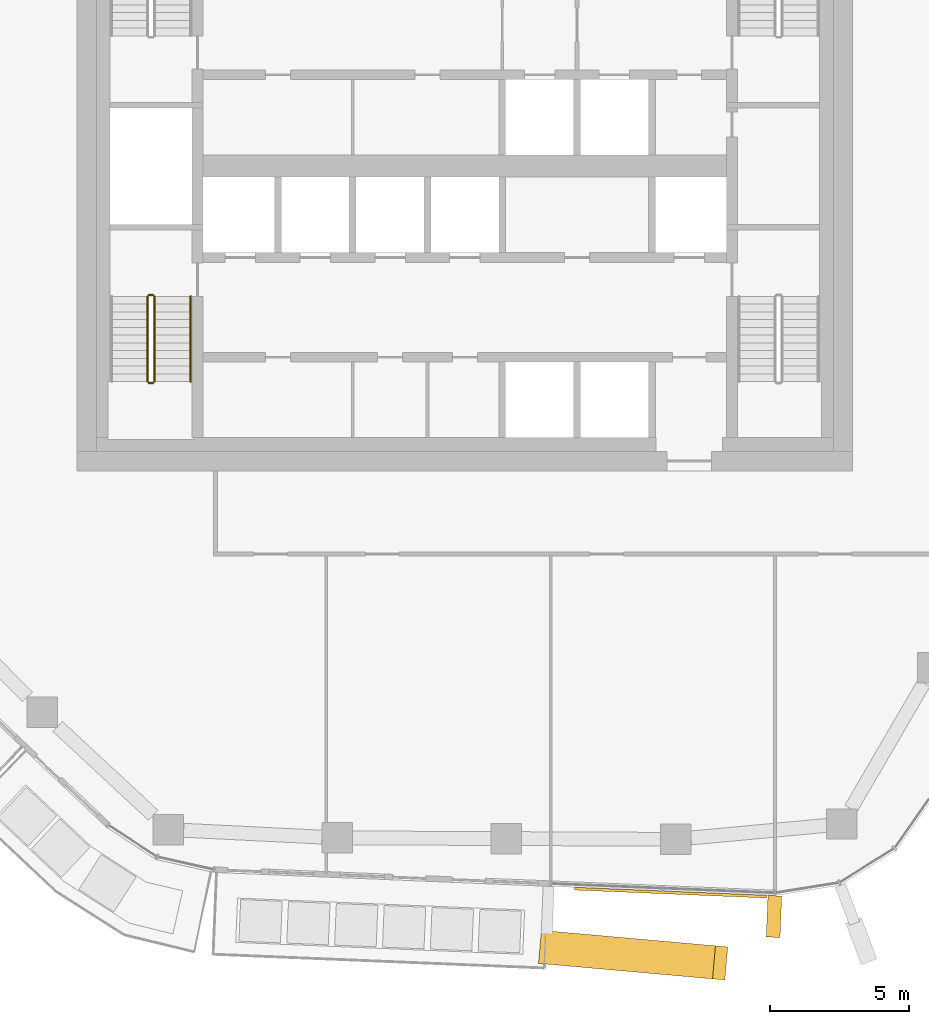
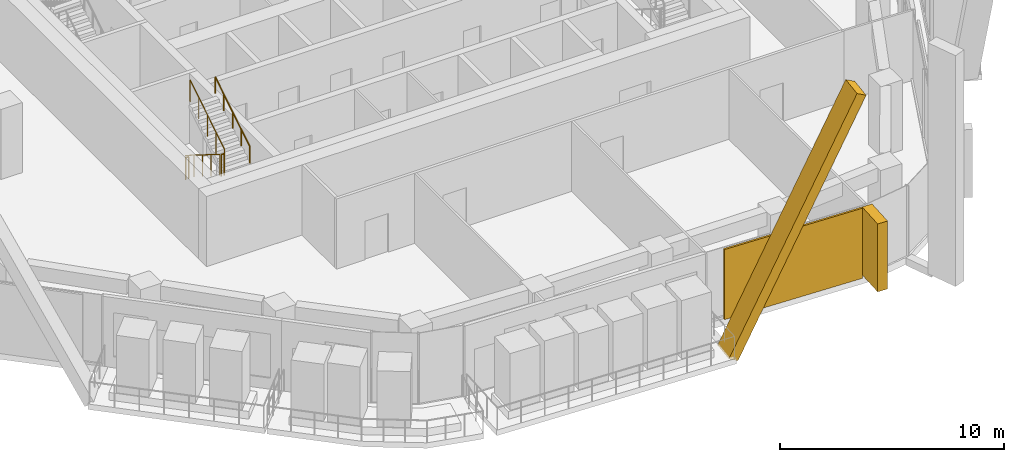
# One storey, part 16 of 20: 5 railings, 3 coverings, 1 element without a shape of its own.
"""IFC4 building model written with IfcOpenShell, lengths in metres."""

from ifc_helpers import new_model, si_unit, direction, frame, origin, origin_2d, place, context, subcontext, project, spatial, rectangle, circle, extrude, material, layer, layer_set, material_profile, profile_set, type_object, element, aggregate, save


model = new_model("IFC4")

# Units and contexts
model_context = context("Model", 3, precision=1e-05, world=origin(), true_north=direction((0.0, 1.0)))
body_context = subcontext(model_context, "Body", "Model", "MODEL_VIEW")
ifc_project = project(units=[si_unit("LENGTHUNIT", "METRE"), si_unit("AREAUNIT", "SQUARE_METRE"), si_unit("VOLUMEUNIT", "CUBIC_METRE"), si_unit("PLANEANGLEUNIT", "RADIAN"), si_unit("MASSUNIT", "GRAM", prefix="KILO")], contexts=[model_context])

# Site, building, storey
site_placement = place(None, origin())
site = spatial("IfcSite", under=ifc_project, at=site_placement, CompositionType="ELEMENT")
building_placement = place(site_placement, origin())
building = spatial("IfcBuilding", under=site, at=building_placement, Name="Dongbaek Canopy Tower", CompositionType="ELEMENT")
storey_placement = place(building_placement, frame((0.0, 0.0, 241.199951171875)))
storey = spatial("IfcBuildingStorey", under=building, at=storey_placement, Name="L50", CompositionType="ELEMENT", Elevation=241.199951171875)

# Curtain wall, coverings
ifc_material_1 = material(Name="Aluminium 6063-T6 pale anodised", Category="aluminium")
ifc_layer_1 = layer(ifc_material_1, 0.199951171875)
ifc_layer_set_1 = layer_set([ifc_layer_1], Name="CW-1 unitised tower curtain wall")
curtain_wall_type = type_object("IfcCurtainWallType", Name="CW-1 unitised tower curtain wall", PredefinedType="NOTDEFINED", material=ifc_layer_set_1)
curtain_wall_placement = place(storey_placement, origin())
curtain_wall = element("IfcCurtainWall", 1, at=curtain_wall_placement, inside=storey, type_object=curtain_wall_type, Name="CW-1 curtain wall F4.1", PredefinedType="NOTDEFINED")
ifc_material_2 = material(Name="Aluminium 6063-T6 pale metal fin", Category="aluminium")
ifc_material_profile_1 = material_profile(ifc_material_2, rectangle(XDim=1.199951171875, YDim=0.5, at=origin_2d()), Name="Crease fin CF1 500 x 1200 pale metal")
ifc_profile_set_1 = profile_set([ifc_material_profile_1], Name="Aluminium 6063-T6 pale metal fin")
covering_type_1 = type_object("IfcCoveringType", Name="Crease fin CF1 500 x 1200 pale metal", PredefinedType="CLADDING", material=ifc_profile_set_1)
covering_1_placement = place(storey_placement, frame((2.934814453125, -28.20166015625, -0.18994140625), z_axis=(0.445781374612, -0.039593051696, 0.894265819713), x_axis=(0.088468938044, 0.99607893613, 0.0)))
covering_1 = element("IfcCovering", 2, at=covering_1_placement, type_object=covering_type_1, Name="Crease fin L50 L53 F4", PredefinedType="CLADDING", context=body_context, shape_type="SweptSolid", body=[
    extrude(rectangle(XDim=1.199951171875, YDim=0.5, at=origin_2d()), origin(), (0.0, 0.0, 1.0), 14.08984375),
])
ifc_material_3 = material(Name="Perforated aluminium 6063-T6 pale metal screen", Category="aluminium")
ifc_layer_2 = layer(ifc_material_3, 0.10009765625)
ifc_layer_set_2 = layer_set([ifc_layer_2], Name="Facet screen FS1 100 pale metal")
covering_type_2 = type_object("IfcCoveringType", Name="Facet screen FS1 100 pale metal", PredefinedType="CLADDING", material=ifc_layer_set_2)
covering_2_placement = place(storey_placement, frame((7.42919921875, -26.22509765625, 0.0), z_axis=(0.0, 0.0, 1.0), x_axis=(0.999139269991, -0.041481552066, 0.0)))
covering_2 = element("IfcCovering", 3, at=covering_2_placement, type_object=covering_type_2, Name="Facet screen L50 F4", PredefinedType="CLADDING", context=body_context, shape_type="SweptSolid", body=[
    extrude(rectangle(XDim=6.944091796875, YDim=0.10009765625, at=origin_2d()), origin(), (0.0, 0.0, 1.0), 3.820068359375),
])
ifc_material_4 = material(Name="Aluminium 6063-T6 pale metal fin", Category="aluminium")
ifc_material_profile_2 = material_profile(ifc_material_4, rectangle(XDim=1.5, YDim=0.5, at=origin_2d()), Name="Fin FN1 500 x 1500 pale metal")
ifc_profile_set_2 = profile_set([ifc_material_profile_2], Name="Aluminium 6063-T6 pale metal fin")
covering_type_3 = type_object("IfcCoveringType", Name="Fin FN1 500 x 1500 pale metal", PredefinedType="CLADDING", material=ifc_profile_set_2)
covering_3_placement = place(storey_placement, frame((11.158935546875, -27.08447265625, 0.1201171875), z_axis=(0.0, 0.0, 1.0), x_axis=(-0.041481315027, -0.999139279832, 0.0)))
covering_3 = element("IfcCovering", 4, at=covering_3_placement, type_object=covering_type_3, Name="Fin F4.1.3", PredefinedType="CLADDING", context=body_context, shape_type="SweptSolid", body=[
    extrude(rectangle(XDim=1.5, YDim=0.5, at=origin_2d()), origin(), (0.0, 0.0, 1.0), 3.699951171875),
])
aggregate(curtain_wall, [covering_3, covering_1, covering_2])

# Railings
ifc_material_5 = material(Name="Stainless steel tube and balusters", Category="steel")
railing_type_1 = type_object("IfcRailingType", Name="Stair guard 1200", PredefinedType="GUARDRAIL", material=ifc_material_5)
railing_1_placement = place(storey_placement, frame((-11.449951171875, -4.699951171875, 0.175048828125)))
element("IfcRailing", 5, at=railing_1_placement, inside=storey, type_object=railing_type_1, Name="L50 ST-D stair guard 1", PredefinedType="GUARDRAIL", context=body_context, shape_type="SweptSolid", body=[
    extrude(circle(Radius=0.02392578125, at=origin_2d()), frame((0.0, 0.0, 1.17578125), z_axis=(0.0, -0.847998304005, 0.529998940003), x_axis=(1.0, 0.0, 0.0)), (0.0, 0.0, 1.0), 3.632080078125),
    extrude(circle(Radius=0.02099609375, at=origin_2d()), origin(), (0.0, 0.0, 1.0), 1.15185546875),
    extrude(circle(Radius=0.02099609375, at=origin_2d()), frame((0.0, -0.77001953125, 0.481201171875)), (0.0, 0.0, 1.0), 1.15185546875),
    extrude(circle(Radius=0.02099609375, at=origin_2d()), frame((0.0, -1.5400390625, 0.96240234375)), (0.0, 0.0, 1.0), 1.15185546875),
    extrude(circle(Radius=0.02099609375, at=origin_2d()), frame((0.0, -2.31005859375, 1.44384765625)), (0.0, 0.0, 1.0), 1.15185546875),
    extrude(circle(Radius=0.02099609375, at=origin_2d()), frame((0.0, -3.080078125, 1.925048828125)), (0.0, 0.0, 1.0), 1.15185546875),
])
railing_2_placement = place(storey_placement, frame((-11.39990234375, -7.830078125, 2.10009765625)))
element("IfcRailing", 6, at=railing_2_placement, inside=storey, type_object=railing_type_1, Name="L50 ST-D stair guard 2", PredefinedType="GUARDRAIL", context=body_context, shape_type="SweptSolid", body=[
    extrude(circle(Radius=0.02392578125, at=origin_2d()), frame((0.0, 0.0, 1.17578125), z_axis=(1.0, 0.0, 0.0), x_axis=(0.0, 1.0, 0.0)), (0.0, 0.0, 1.0), 0.14990234375),
    extrude(circle(Radius=0.02099609375, at=origin_2d()), origin(), (0.0, 0.0, 1.0), 1.15185546875),
    extrude(circle(Radius=0.02099609375, at=origin_2d()), frame((0.14990234375, 0.0, 0.0)), (0.0, 0.0, 1.0), 1.15185546875),
])
railing_3_placement = place(storey_placement, frame((-11.199951171875, -7.780029296875, 2.275146484375)))
element("IfcRailing", 7, at=railing_3_placement, inside=storey, type_object=railing_type_1, Name="L50 ST-D stair guard 3", PredefinedType="GUARDRAIL", context=body_context, shape_type="SweptSolid", body=[
    extrude(circle(Radius=0.02392578125, at=origin_2d()), frame((0.0, 0.0, 1.17578125), z_axis=(0.0, 0.848028513186, 0.529950602248), x_axis=(-1.0, 0.0, 0.0)), (0.0, 0.0, 1.0), 3.632080078125),
    extrude(circle(Radius=0.02099609375, at=origin_2d()), origin(), (0.0, 0.0, 1.0), 1.15185546875),
    extrude(circle(Radius=0.02099609375, at=origin_2d()), frame((0.0, 0.77001953125, 0.481201171875)), (0.0, 0.0, 1.0), 1.15185546875),
    extrude(circle(Radius=0.02099609375, at=origin_2d()), frame((0.0, 1.5400390625, 0.96240234375)), (0.0, 0.0, 1.0), 1.15185546875),
    extrude(circle(Radius=0.02099609375, at=origin_2d()), frame((0.0, 2.31005859375, 1.443603515625)), (0.0, 0.0, 1.0), 1.15185546875),
    extrude(circle(Radius=0.02099609375, at=origin_2d()), frame((0.0, 3.080078125, 1.9248046875)), (0.0, 0.0, 1.0), 1.15185546875),
])
railing_4_placement = place(storey_placement, frame((-11.39990234375, -4.64990234375, 0.0)))
element("IfcRailing", 8, at=railing_4_placement, inside=storey, type_object=railing_type_1, Name="L50 ST-D stair guard 4", PredefinedType="GUARDRAIL", context=body_context, shape_type="SweptSolid", body=[
    extrude(circle(Radius=0.02392578125, at=origin_2d()), frame((0.0, 0.0, 1.17578125), z_axis=(1.0, 0.0, 0.0), x_axis=(0.0, 1.0, 0.0)), (0.0, 0.0, 1.0), 0.14990234375),
    extrude(circle(Radius=0.02099609375, at=origin_2d()), origin(), (0.0, 0.0, 1.0), 1.15185546875),
    extrude(circle(Radius=0.02099609375, at=origin_2d()), frame((0.14990234375, 0.0, 0.0)), (0.0, 0.0, 1.0), 1.15185546875),
])
ifc_material_6 = material(Name="Stainless steel tube", Category="steel")
railing_type_2 = type_object("IfcRailingType", Name="Stair handrail 900", PredefinedType="HANDRAIL", material=ifc_material_6)
railing_5_placement = place(storey_placement, frame((-9.89990234375, -7.780029296875, 2.275146484375)))
element("IfcRailing", 9, at=railing_5_placement, inside=storey, type_object=railing_type_2, Name="L50 ST-D stair handrail 2", PredefinedType="HANDRAIL", context=body_context, shape_type="SweptSolid", body=[
    extrude(circle(Radius=0.02392578125, at=origin_2d()), frame((0.0, 0.0, 0.8759765625), z_axis=(0.0, 0.848028513186, 0.529950602248), x_axis=(-1.0, 0.0, 0.0)), (0.0, 0.0, 1.0), 3.632080078125),
    extrude(circle(Radius=0.02099609375, at=origin_2d()), origin(), (0.0, 0.0, 1.0), 0.851806640625),
    extrude(circle(Radius=0.02099609375, at=origin_2d()), frame((0.0, 0.77001953125, 0.481201171875)), (0.0, 0.0, 1.0), 0.851806640625),
    extrude(circle(Radius=0.02099609375, at=origin_2d()), frame((0.0, 1.5400390625, 0.96240234375)), (0.0, 0.0, 1.0), 0.851806640625),
    extrude(circle(Radius=0.02099609375, at=origin_2d()), frame((0.0, 2.31005859375, 1.443603515625)), (0.0, 0.0, 1.0), 0.851806640625),
    extrude(circle(Radius=0.02099609375, at=origin_2d()), frame((0.0, 3.080078125, 1.9248046875)), (0.0, 0.0, 1.0), 0.851806640625),
])

save(model, "model.ifc")
